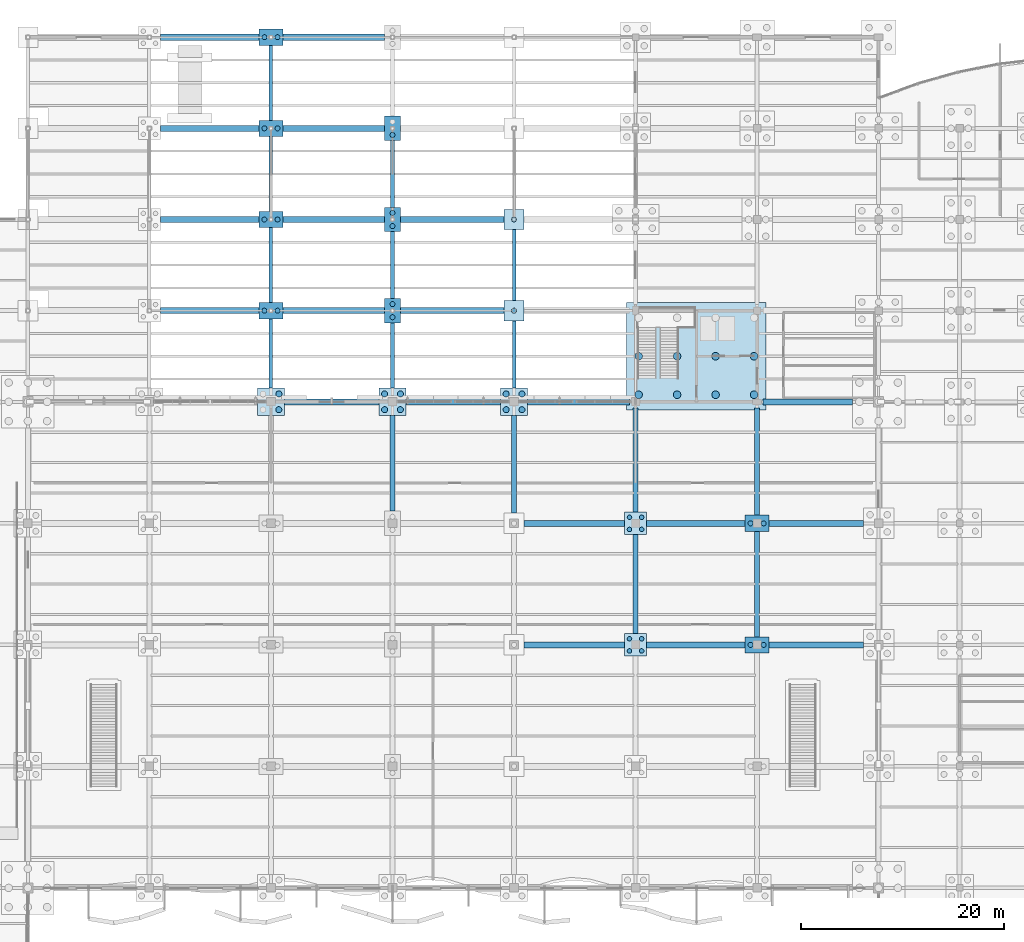
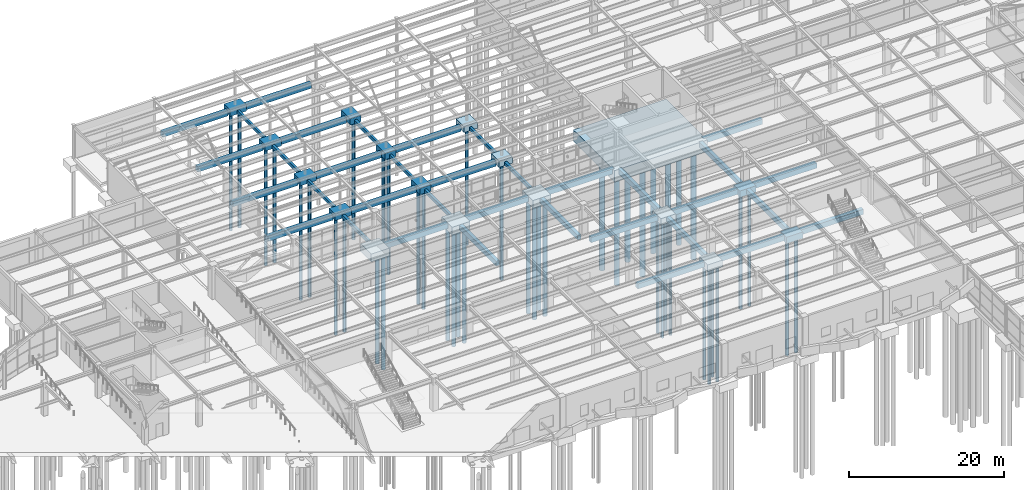
# One storey, part 5 of 85: 52 footings, 45 piles.
"""IFC4 building model written with IfcOpenShell, lengths in metres."""

from ifc_helpers import new_model, si_unit, direction, frame, origin, origin_2d, place, context, subcontext, project, spatial, polyline, rectangle, circle, outline, extrude, material, material_profile, profile_set, type_object, element, save


model = new_model("IFC4")

# Units and contexts
model_context = context("Model", 3, precision=1e-05, world=origin(), true_north=direction((0.0, 1.0)))
body_context = subcontext(model_context, "Body", "Model", "MODEL_VIEW")
ifc_project = project(units=[si_unit("LENGTHUNIT", "METRE"), si_unit("AREAUNIT", "SQUARE_METRE"), si_unit("VOLUMEUNIT", "CUBIC_METRE"), si_unit("PLANEANGLEUNIT", "RADIAN"), si_unit("MASSUNIT", "GRAM", prefix="KILO")], contexts=[model_context])

# Site, building, storey
site_placement = place(None, origin())
site = spatial("IfcSite", under=ifc_project, at=site_placement, CompositionType="ELEMENT")
building_placement = place(site_placement, origin())
building = spatial("IfcBuilding", under=site, at=building_placement, Name="Keelwater Ferry Terminal", CompositionType="ELEMENT")
storey_placement = place(building_placement, origin())
storey = spatial("IfcBuildingStorey", under=building, at=storey_placement, Name="L00", CompositionType="ELEMENT", Elevation=0.0)

# Piles
ifc_material_1 = material(Name="Concrete C45/55", Category="concrete")
ifc_material_profile_1 = material_profile(ifc_material_1, circle(Radius=0.375, at=origin_2d()), Name="PILE D750")
ifc_profile_set_1 = profile_set([ifc_material_profile_1], Name="Concrete C45/55")
pile_type_1 = type_object("IfcPileType", Name="P1 PILE D750", PredefinedType="DRIVEN", material=ifc_profile_set_1)
for number, where, z_axis, x_axis, name in (
    (1, (108.300048828125, 90.699951171875, -2.10009765625), (0.0, 0.0, -1.0), (1.0, 0.0, 0.0), "Driven Pile 0013"),
    (2, (108.300048828125, 94.5, -2.10009765625), (0.0, 0.0, -1.0), (1.0, 0.0, 0.0), "Driven Pile 0014"),
    (3, (112.10009765625, 90.699951171875, -2.10009765625), (0.0, 0.0, -1.0), (1.0, 0.0, 0.0), "Driven Pile 0016"),
    (4, (112.10009765625, 94.5, -2.10009765625), (0.0, 0.0, -1.0), (1.0, 0.0, 0.0), "Driven Pile 0017"),
    (5, (115.89990234375, 90.699951171875, -2.10009765625), (0.0, 0.0, -1.0), (1.0, 0.0, 0.0), "Driven Pile 0019"),
    (6, (115.89990234375, 94.5, -2.10009765625), (0.0, 0.0, -1.0), (1.0, 0.0, 0.0), "Driven Pile 0020"),
    (7, (119.699951171875, 90.699951171875, -2.10009765625), (0.0, 0.0, -1.0), (1.0, 0.0, 0.0), "Driven Pile 0022"),
    (8, (119.699951171875, 94.5, -2.10009765625), (0.0, 0.0, -1.0), (1.0, 0.0, 0.0), "Driven Pile 0023"),
):
    element("IfcPile", number, at=place(storey_placement, frame(where, z_axis=z_axis, x_axis=x_axis)), inside=storey, type_object=pile_type_1, Name=name, PredefinedType="DRIVEN", context=body_context, shape_type="SweptSolid", body=[
        extrude(circle(Radius=0.375, at=origin_2d()), origin(), (0.0, 0.0, 1.0), 17.39990234375),
    ])
ifc_material_2 = material(Name="Concrete C45/55", Category="concrete")
ifc_material_profile_2 = material_profile(ifc_material_2, circle(Radius=0.300048828125, at=origin_2d()), Name="PILE D600")
ifc_profile_set_2 = profile_set([ifc_material_profile_2], Name="Concrete C45/55")
pile_type_2 = type_object("IfcPileType", Name="P3 PILE D600", PredefinedType="DRIVEN", material=ifc_profile_set_2)
for number, where, z_axis, x_axis, name in (
    (9, (72.780029296875, 89.219970703125, -1.5), (0.0, 0.0, -1.0), (1.0, 0.0, 0.0), "Driven Pile 0235"),
    (10, (72.780029296875, 90.780029296875, -1.5), (0.0, 0.0, -1.0), (1.0, 0.0, 0.0), "Driven Pile 0237"),
    (11, (83.219970703125, 89.219970703125, -1.5), (0.0, 0.0, -1.0), (1.0, 0.0, 0.0), "Driven Pile 0256"),
    (12, (84.780029296875, 89.219970703125, -1.5), (0.0, 0.0, -1.0), (1.0, 0.0, 0.0), "Driven Pile 0257"),
    (13, (83.219970703125, 90.780029296875, -1.5), (0.0, 0.0, -1.0), (1.0, 0.0, 0.0), "Driven Pile 0258"),
    (14, (84.780029296875, 90.780029296875, -1.5), (0.0, 0.0, -1.0), (1.0, 0.0, 0.0), "Driven Pile 0259"),
    (15, (95.219970703125, 89.219970703125, -1.5), (0.0, 0.0, -1.0), (1.0, 0.0, 0.0), "Driven Pile 0275"),
    (16, (96.780029296875, 89.219970703125, -1.5), (0.0, 0.0, -1.0), (1.0, 0.0, 0.0), "Driven Pile 0276"),
    (17, (95.219970703125, 90.780029296875, -1.5), (0.0, 0.0, -1.0), (1.0, 0.0, 0.0), "Driven Pile 0277"),
    (18, (96.780029296875, 90.780029296875, -1.5), (0.0, 0.0, -1.0), (1.0, 0.0, 0.0), "Driven Pile 0278"),
):
    element("IfcPile", number, at=place(storey_placement, frame(where, z_axis=z_axis, x_axis=x_axis)), inside=storey, type_object=pile_type_2, Name=name, PredefinedType="DRIVEN", context=body_context, shape_type="SweptSolid", body=[
        extrude(circle(Radius=0.300048828125, at=origin_2d()), origin(), (0.0, 0.0, 1.0), 18.0),
    ])
ifc_material_3 = material(Name="Concrete C45/55", Category="concrete")
ifc_material_profile_3 = material_profile(ifc_material_3, circle(Radius=0.25, at=origin_2d()), Name="PILE D500")
ifc_profile_set_3 = profile_set([ifc_material_profile_3], Name="Concrete C45/55")
pile_type_3 = type_object("IfcPileType", Name="P4 PILE D500", PredefinedType="DRIVEN", material=ifc_profile_set_3)
for number, where, z_axis, x_axis, name in (
    (19, (71.35009765625, 99.0, -0.89990234375), (0.0, 0.0, -1.0), (1.0, 0.0, 0.0), "Driven Pile 0238"),
    (20, (72.64990234375, 99.0, -0.89990234375), (0.0, 0.0, -1.0), (1.0, 0.0, 0.0), "Driven Pile 0239"),
    (21, (71.35009765625, 108.0, -0.89990234375), (0.0, 0.0, -1.0), (1.0, 0.0, 0.0), "Driven Pile 0240"),
    (22, (72.64990234375, 108.0, -0.89990234375), (0.0, 0.0, -1.0), (1.0, 0.0, 0.0), "Driven Pile 0241"),
    (23, (71.35009765625, 117.0, -0.89990234375), (0.0, 0.0, -1.0), (1.0, 0.0, 0.0), "Driven Pile 0242"),
    (24, (72.64990234375, 117.0, -0.89990234375), (0.0, 0.0, -1.0), (1.0, 0.0, 0.0), "Driven Pile 0243"),
    (25, (71.35009765625, 126.0, -0.89990234375), (0.0, 0.0, -1.0), (1.0, 0.0, 0.0), "Driven Pile 0244"),
    (26, (72.64990234375, 126.0, -0.89990234375), (0.0, 0.0, -1.0), (1.0, 0.0, 0.0), "Driven Pile 0245"),
    (27, (84.0, 98.35009765625, -0.89990234375), (0.0, 0.0, -1.0), (1.0, 0.0, 0.0), "Driven Pile 0260"),
    (28, (84.0, 99.64990234375, -0.89990234375), (0.0, 0.0, -1.0), (1.0, 0.0, 0.0), "Driven Pile 0261"),
    (29, (84.0, 107.35009765625, -0.89990234375), (0.0, 0.0, -1.0), (1.0, 0.0, 0.0), "Driven Pile 0262"),
    (30, (84.0, 108.64990234375, -0.89990234375), (0.0, 0.0, -1.0), (1.0, 0.0, 0.0), "Driven Pile 0263"),
    (31, (84.0, 116.35009765625, -0.89990234375), (0.0, 0.0, -1.0), (1.0, 0.0, 0.0), "Driven Pile 0264"),
    (32, (96.0, 99.0, -0.89990234375), (0.0, 0.0, -1.0), (1.0, 0.0, 0.0), "Driven Pile 0279"),
    (33, (96.0, 108.0, -0.89990234375), (0.0, 0.0, -1.0), (1.0, 0.0, 0.0), "Driven Pile 0280"),
):
    element("IfcPile", number, at=place(storey_placement, frame(where, z_axis=z_axis, x_axis=x_axis)), inside=storey, type_object=pile_type_3, Name=name, PredefinedType="DRIVEN", context=body_context, shape_type="SweptSolid", body=[
        extrude(circle(Radius=0.25, at=origin_2d()), origin(), (0.0, 0.0, 1.0), 18.60009765625),
    ])
for number, where, z_axis, x_axis, name in (
    (34, (119.35009765625, 66.0, -1.300048828125), (0.0, 0.0, -1.0), (1.0, 0.0, 0.0), "Driven Pile 0319"),
    (35, (120.64990234375, 66.0, -1.300048828125), (0.0, 0.0, -1.0), (1.0, 0.0, 0.0), "Driven Pile 0320"),
    (36, (119.35009765625, 78.0, -1.300048828125), (0.0, 0.0, -1.0), (1.0, 0.0, 0.0), "Driven Pile 0321"),
    (37, (120.64990234375, 78.0, -1.300048828125), (0.0, 0.0, -1.0), (1.0, 0.0, 0.0), "Driven Pile 0322"),
):
    element("IfcPile", number, at=place(storey_placement, frame(where, z_axis=z_axis, x_axis=x_axis)), inside=storey, type_object=pile_type_3, Name=name, PredefinedType="DRIVEN", context=body_context, shape_type="SweptSolid", body=[
        extrude(circle(Radius=0.25, at=origin_2d()), origin(), (0.0, 0.0, 1.0), 18.199951171875),
    ])
ifc_material_4 = material(Name="Concrete C45/55", Category="concrete")
ifc_material_profile_4 = material_profile(ifc_material_4, circle(Radius=0.22509765625, at=origin_2d()), Name="PILE D450")
ifc_profile_set_4 = profile_set([ifc_material_profile_4], Name="Concrete C45/55")
pile_type_4 = type_object("IfcPileType", Name="P5 PILE D450", PredefinedType="DRIVEN", material=ifc_profile_set_4)
for number, where, z_axis, x_axis, name in (
    (38, (107.39990234375, 65.39990234375, -1.35009765625), (0.0, 0.0, -1.0), (1.0, 0.0, 0.0), "Driven Pile 0291"),
    (39, (108.60009765625, 65.39990234375, -1.35009765625), (0.0, 0.0, -1.0), (1.0, 0.0, 0.0), "Driven Pile 0292"),
    (40, (107.39990234375, 66.60009765625, -1.35009765625), (0.0, 0.0, -1.0), (1.0, 0.0, 0.0), "Driven Pile 0293"),
    (41, (108.60009765625, 66.60009765625, -1.35009765625), (0.0, 0.0, -1.0), (1.0, 0.0, 0.0), "Driven Pile 0294"),
    (42, (107.39990234375, 77.39990234375, -1.35009765625), (0.0, 0.0, -1.0), (1.0, 0.0, 0.0), "Driven Pile 0295"),
    (43, (108.60009765625, 77.39990234375, -1.35009765625), (0.0, 0.0, -1.0), (1.0, 0.0, 0.0), "Driven Pile 0296"),
    (44, (107.39990234375, 78.60009765625, -1.35009765625), (0.0, 0.0, -1.0), (1.0, 0.0, 0.0), "Driven Pile 0297"),
    (45, (108.60009765625, 78.60009765625, -1.35009765625), (0.0, 0.0, -1.0), (1.0, 0.0, 0.0), "Driven Pile 0298"),
):
    element("IfcPile", number, at=place(storey_placement, frame(where, z_axis=z_axis, x_axis=x_axis)), inside=storey, type_object=pile_type_4, Name=name, PredefinedType="DRIVEN", context=body_context, shape_type="SweptSolid", body=[
        extrude(circle(Radius=0.22509765625, at=origin_2d()), origin(), (0.0, 0.0, 1.0), 18.14990234375),
    ])

# Footings
ifc_material_5 = material(Name="Concrete C40/50", Category="concrete")
footing_type_1 = type_object("IfcFootingType", Name="PC01 2000x2000x1000", PredefinedType="PILE_CAP", material=ifc_material_5)
footing_1_placement = place(storey_placement, frame((0.0, 0.0, -1.0)))
element("IfcFooting", 46, at=footing_1_placement, inside=storey, type_object=footing_type_1, Name="Pile Cap FT-CAP-0077", PredefinedType="PILE_CAP", context=body_context, shape_type="SweptSolid", body=[
    extrude(outline(polyline([(95.0, 98.0), (97.0, 98.0), (97.0, 100.0), (95.0, 100.0), (95.0, 98.0)])), origin(), (0.0, 0.0, 1.0), 1.0),
])
footing_2_placement = place(storey_placement, frame((0.0, 0.0, -1.0)))
element("IfcFooting", 47, at=footing_2_placement, inside=storey, type_object=footing_type_1, Name="Pile Cap FT-CAP-0078", PredefinedType="PILE_CAP", context=body_context, shape_type="SweptSolid", body=[
    extrude(outline(polyline([(95.0, 107.0), (97.0, 107.0), (97.0, 109.0), (95.0, 109.0), (95.0, 107.0)])), origin(), (0.0, 0.0, 1.0), 1.0),
])
ifc_material_6 = material(Name="Concrete C40/50", Category="concrete")
footing_type_2 = type_object("IfcFootingType", Name="PC04 2700x2700x1200", PredefinedType="PILE_CAP", material=ifc_material_6)
footing_3_placement = place(storey_placement, frame((0.0, 0.0, -1.60009765625)))
element("IfcFooting", 48, at=footing_3_placement, inside=storey, type_object=footing_type_2, Name="Pile Cap FT-CAP-0058", PredefinedType="PILE_CAP", context=body_context, shape_type="SweptSolid", body=[
    extrude(outline(polyline([(70.64990234375, 88.64990234375), (73.35009765625, 88.64990234375), (73.35009765625, 91.35009765625), (70.64990234375, 91.35009765625), (70.64990234375, 88.64990234375)])), origin(), (0.0, 0.0, 1.0), 1.2001953125),
])
footing_4_placement = place(storey_placement, frame((0.0, 0.0, -1.60009765625)))
element("IfcFooting", 49, at=footing_4_placement, inside=storey, type_object=footing_type_2, Name="Pile Cap FT-CAP-0067", PredefinedType="PILE_CAP", context=body_context, shape_type="SweptSolid", body=[
    extrude(outline(polyline([(82.64990234375, 88.64990234375), (85.35009765625, 88.64990234375), (85.35009765625, 91.35009765625), (82.64990234375, 91.35009765625), (82.64990234375, 88.64990234375)])), origin(), (0.0, 0.0, 1.0), 1.2001953125),
])
footing_5_placement = place(storey_placement, frame((0.0, 0.0, -1.60009765625)))
element("IfcFooting", 50, at=footing_5_placement, inside=storey, type_object=footing_type_2, Name="Pile Cap FT-CAP-0076", PredefinedType="PILE_CAP", context=body_context, shape_type="SweptSolid", body=[
    extrude(outline(polyline([(94.64990234375, 88.64990234375), (97.35009765625, 88.64990234375), (97.35009765625, 91.35009765625), (94.64990234375, 91.35009765625), (94.64990234375, 88.64990234375)])), origin(), (0.0, 0.0, 1.0), 1.2001953125),
])
ifc_material_7 = material(Name="Concrete C40/50", Category="concrete")
footing_type_3 = type_object("IfcFootingType", Name="PC10 2200x2200x1050", PredefinedType="PILE_CAP", material=ifc_material_7)
footing_6_placement = place(storey_placement, frame((0.0, 0.0, -1.449951171875)))
element("IfcFooting", 51, at=footing_6_placement, inside=storey, type_object=footing_type_3, Name="Pile Cap FT-CAP-0083", PredefinedType="PILE_CAP", context=body_context, shape_type="SweptSolid", body=[
    extrude(outline(polyline([(106.89990234375, 64.89990234375), (109.10009765625, 64.89990234375), (109.10009765625, 67.10009765625), (106.89990234375, 67.10009765625), (106.89990234375, 64.89990234375)])), origin(), (0.0, 0.0, 1.0), 1.050048828125),
])
footing_7_placement = place(storey_placement, frame((0.0, 0.0, -1.449951171875)))
element("IfcFooting", 52, at=footing_7_placement, inside=storey, type_object=footing_type_3, Name="Pile Cap FT-CAP-0084", PredefinedType="PILE_CAP", context=body_context, shape_type="SweptSolid", body=[
    extrude(outline(polyline([(106.89990234375, 76.89990234375), (109.10009765625, 76.89990234375), (109.10009765625, 79.10009765625), (106.89990234375, 79.10009765625), (106.89990234375, 76.89990234375)])), origin(), (0.0, 0.0, 1.0), 1.050048828125),
])
ifc_material_8 = material(Name="Concrete C40/50", Category="concrete")
footing_type_4 = type_object("IfcFootingType", Name="PC11 2400x1600x1000", PredefinedType="PILE_CAP", material=ifc_material_8)
footing_8_placement = place(storey_placement, frame((0.0, 0.0, -1.0)))
element("IfcFooting", 53, at=footing_8_placement, inside=storey, type_object=footing_type_4, Name="Pile Cap FT-CAP-0059", PredefinedType="PILE_CAP", context=body_context, shape_type="SweptSolid", body=[
    extrude(outline(polyline([(70.800048828125, 98.199951171875), (73.199951171875, 98.199951171875), (73.199951171875, 99.800048828125), (70.800048828125, 99.800048828125), (70.800048828125, 98.199951171875)])), origin(), (0.0, 0.0, 1.0), 1.0),
])
footing_9_placement = place(storey_placement, frame((0.0, 0.0, -1.0)))
element("IfcFooting", 54, at=footing_9_placement, inside=storey, type_object=footing_type_4, Name="Pile Cap FT-CAP-0060", PredefinedType="PILE_CAP", context=body_context, shape_type="SweptSolid", body=[
    extrude(outline(polyline([(70.800048828125, 107.199951171875), (73.199951171875, 107.199951171875), (73.199951171875, 108.800048828125), (70.800048828125, 108.800048828125), (70.800048828125, 107.199951171875)])), origin(), (0.0, 0.0, 1.0), 1.0),
])
footing_10_placement = place(storey_placement, frame((0.0, 0.0, -1.0)))
element("IfcFooting", 55, at=footing_10_placement, inside=storey, type_object=footing_type_4, Name="Pile Cap FT-CAP-0061", PredefinedType="PILE_CAP", context=body_context, shape_type="SweptSolid", body=[
    extrude(outline(polyline([(70.800048828125, 116.199951171875), (73.199951171875, 116.199951171875), (73.199951171875, 117.800048828125), (70.800048828125, 117.800048828125), (70.800048828125, 116.199951171875)])), origin(), (0.0, 0.0, 1.0), 1.0),
])
footing_11_placement = place(storey_placement, frame((0.0, 0.0, -1.0)))
element("IfcFooting", 56, at=footing_11_placement, inside=storey, type_object=footing_type_4, Name="Pile Cap FT-CAP-0062", PredefinedType="PILE_CAP", context=body_context, shape_type="SweptSolid", body=[
    extrude(outline(polyline([(70.800048828125, 125.199951171875), (73.199951171875, 125.199951171875), (73.199951171875, 126.800048828125), (70.800048828125, 126.800048828125), (70.800048828125, 125.199951171875)])), origin(), (0.0, 0.0, 1.0), 1.0),
])
footing_12_placement = place(storey_placement, frame((0.0, 0.0, -1.39990234375)))
element("IfcFooting", 57, at=footing_12_placement, inside=storey, type_object=footing_type_4, Name="Pile Cap FT-CAP-0090", PredefinedType="PILE_CAP", context=body_context, shape_type="SweptSolid", body=[
    extrude(outline(polyline([(118.800048828125, 65.199951171875), (121.199951171875, 65.199951171875), (121.199951171875, 66.800048828125), (118.800048828125, 66.800048828125), (118.800048828125, 65.199951171875)])), origin(), (0.0, 0.0, 1.0), 1.0),
])
footing_13_placement = place(storey_placement, frame((0.0, 0.0, -1.39990234375)))
element("IfcFooting", 58, at=footing_13_placement, inside=storey, type_object=footing_type_4, Name="Pile Cap FT-CAP-0091", PredefinedType="PILE_CAP", context=body_context, shape_type="SweptSolid", body=[
    extrude(outline(polyline([(118.800048828125, 77.199951171875), (121.199951171875, 77.199951171875), (121.199951171875, 78.800048828125), (118.800048828125, 78.800048828125), (118.800048828125, 77.199951171875)])), origin(), (0.0, 0.0, 1.0), 1.0),
])
ifc_material_9 = material(Name="Concrete C40/50", Category="concrete")
footing_type_5 = type_object("IfcFootingType", Name="PC12 1600x2400x1000", PredefinedType="PILE_CAP", material=ifc_material_9)
footing_14_placement = place(storey_placement, frame((0.0, 0.0, -1.0)))
element("IfcFooting", 59, at=footing_14_placement, inside=storey, type_object=footing_type_5, Name="Pile Cap FT-CAP-0068", PredefinedType="PILE_CAP", context=body_context, shape_type="SweptSolid", body=[
    extrude(outline(polyline([(83.199951171875, 97.800048828125), (84.800048828125, 97.800048828125), (84.800048828125, 100.199951171875), (83.199951171875, 100.199951171875), (83.199951171875, 97.800048828125)])), origin(), (0.0, 0.0, 1.0), 1.0),
])
footing_15_placement = place(storey_placement, frame((0.0, 0.0, -1.0)))
element("IfcFooting", 60, at=footing_15_placement, inside=storey, type_object=footing_type_5, Name="Pile Cap FT-CAP-0069", PredefinedType="PILE_CAP", context=body_context, shape_type="SweptSolid", body=[
    extrude(outline(polyline([(83.199951171875, 106.800048828125), (84.800048828125, 106.800048828125), (84.800048828125, 109.199951171875), (83.199951171875, 109.199951171875), (83.199951171875, 106.800048828125)])), origin(), (0.0, 0.0, 1.0), 1.0),
])
footing_16_placement = place(storey_placement, frame((0.0, 0.0, -1.0)))
element("IfcFooting", 61, at=footing_16_placement, inside=storey, type_object=footing_type_5, Name="Pile Cap FT-CAP-0070", PredefinedType="PILE_CAP", context=body_context, shape_type="SweptSolid", body=[
    extrude(outline(polyline([(83.199951171875, 115.800048828125), (84.800048828125, 115.800048828125), (84.800048828125, 118.199951171875), (83.199951171875, 118.199951171875), (83.199951171875, 115.800048828125)])), origin(), (0.0, 0.0, 1.0), 1.0),
])
ifc_material_10 = material(Name="Concrete C40/50", Category="concrete")
footing_type_6 = type_object("IfcFootingType", Name="PC15 13800x10600x1800", PredefinedType="PILE_CAP", material=ifc_material_10)
footing_17_placement = place(storey_placement, frame((0.0, 0.0, -2.199951171875)))
element("IfcFooting", 62, at=footing_17_placement, inside=storey, type_object=footing_type_6, Name="Core C2 Combined Pile Cap", PredefinedType="PILE_CAP", context=body_context, shape_type="SweptSolid", body=[
    extrude(outline(polyline([(107.10009765625, 89.199951171875), (120.89990234375, 89.199951171875), (120.89990234375, 99.800048828125), (107.10009765625, 99.800048828125), (107.10009765625, 89.199951171875)])), origin(), (0.0, 0.0, 1.0), 1.800048828125),
])
ifc_material_11 = material(Name="Concrete C40/50", Category="concrete")
ifc_material_profile_5 = material_profile(ifc_material_11, rectangle(XDim=0.60009765625, YDim=0.800048828125, at=origin_2d()), Name="TB 600x800")
ifc_profile_set_5 = profile_set([ifc_material_profile_5], Name="Concrete C40/50")
footing_type_7 = type_object("IfcFootingType", Name="TB1 600x800", PredefinedType="FOOTING_BEAM", material=ifc_profile_set_5)
footing_18_placement = place(storey_placement, frame((97.0, 66.0, -0.800048828125), z_axis=(1.0, 0.0, 0.0), x_axis=(0.0, 1.0, 0.0)))
element("IfcFooting", 63, at=footing_18_placement, inside=storey, type_object=footing_type_7, Name="Ground Tie Beam 0056", PredefinedType="FOOTING_BEAM", context=body_context, shape_type="SweptSolid", body=[
    extrude(rectangle(XDim=0.60009765625, YDim=0.800048828125, at=origin_2d()), origin(), (0.0, 0.0, 1.0), 9.89990234375),
])
footing_19_placement = place(storey_placement, frame((109.10009765625, 66.0, -0.800048828125), z_axis=(1.0, 0.0, 0.0), x_axis=(0.0, 1.0, 0.0)))
element("IfcFooting", 64, at=footing_19_placement, inside=storey, type_object=footing_type_7, Name="Ground Tie Beam 0057", PredefinedType="FOOTING_BEAM", context=body_context, shape_type="SweptSolid", body=[
    extrude(rectangle(XDim=0.60009765625, YDim=0.800048828125, at=origin_2d()), origin(), (0.0, 0.0, 1.0), 9.699951171875),
])
footing_20_placement = place(storey_placement, frame((121.199951171875, 66.0, -0.800048828125), z_axis=(1.0, 0.0, 0.0), x_axis=(0.0, 1.0, 0.0)))
element("IfcFooting", 65, at=footing_20_placement, inside=storey, type_object=footing_type_7, Name="Ground Tie Beam 0058", PredefinedType="FOOTING_BEAM", context=body_context, shape_type="SweptSolid", body=[
    extrude(rectangle(XDim=0.60009765625, YDim=0.800048828125, at=origin_2d()), origin(), (0.0, 0.0, 1.0), 9.300048828125),
])
footing_21_placement = place(storey_placement, frame((97.0, 78.0, -0.800048828125), z_axis=(1.0, 0.0, 0.0), x_axis=(0.0, 1.0, 0.0)))
element("IfcFooting", 66, at=footing_21_placement, inside=storey, type_object=footing_type_7, Name="Ground Tie Beam 0073", PredefinedType="FOOTING_BEAM", context=body_context, shape_type="SweptSolid", body=[
    extrude(rectangle(XDim=0.60009765625, YDim=0.800048828125, at=origin_2d()), origin(), (0.0, 0.0, 1.0), 9.89990234375),
])
footing_22_placement = place(storey_placement, frame((109.10009765625, 78.0, -0.800048828125), z_axis=(1.0, 0.0, 0.0), x_axis=(0.0, 1.0, 0.0)))
element("IfcFooting", 67, at=footing_22_placement, inside=storey, type_object=footing_type_7, Name="Ground Tie Beam 0074", PredefinedType="FOOTING_BEAM", context=body_context, shape_type="SweptSolid", body=[
    extrude(rectangle(XDim=0.60009765625, YDim=0.800048828125, at=origin_2d()), origin(), (0.0, 0.0, 1.0), 9.699951171875),
])
footing_23_placement = place(storey_placement, frame((121.199951171875, 78.0, -0.800048828125), z_axis=(1.0, 0.0, 0.0), x_axis=(0.0, 1.0, 0.0)))
element("IfcFooting", 68, at=footing_23_placement, inside=storey, type_object=footing_type_7, Name="Ground Tie Beam 0075", PredefinedType="FOOTING_BEAM", context=body_context, shape_type="SweptSolid", body=[
    extrude(rectangle(XDim=0.60009765625, YDim=0.800048828125, at=origin_2d()), origin(), (0.0, 0.0, 1.0), 9.300048828125),
])
for number, where, z_axis, x_axis, name in (
    (69, (73.35009765625, 90.0, -0.800048828125), (1.0, 0.0, 0.0), (0.0, 1.0, 0.0), "Ground Tie Beam 0086"),
    (70, (85.35009765625, 90.0, -0.800048828125), (1.0, 0.0, 0.0), (0.0, 1.0, 0.0), "Ground Tie Beam 0087"),
):
    element("IfcFooting", number, at=place(storey_placement, frame(where, z_axis=z_axis, x_axis=x_axis)), inside=storey, type_object=footing_type_7, Name=name, PredefinedType="FOOTING_BEAM", context=body_context, shape_type="SweptSolid", body=[
        extrude(rectangle(XDim=0.60009765625, YDim=0.800048828125, at=origin_2d()), origin(), (0.0, 0.0, 1.0), 9.2998046875),
    ])
footing_24_placement = place(storey_placement, frame((97.35009765625, 90.0, -0.800048828125), z_axis=(1.0, 0.0, 0.0), x_axis=(0.0, 1.0, 0.0)))
element("IfcFooting", 71, at=footing_24_placement, inside=storey, type_object=footing_type_7, Name="Ground Tie Beam 0088", PredefinedType="FOOTING_BEAM", context=body_context, shape_type="SweptSolid", body=[
    extrude(rectangle(XDim=0.60009765625, YDim=0.800048828125, at=origin_2d()), origin(), (0.0, 0.0, 1.0), 10.0498046875),
])
footing_25_placement = place(storey_placement, frame((120.60009765625, 90.0, -0.800048828125), z_axis=(1.0, 0.0, 0.0), x_axis=(0.0, 1.0, 0.0)))
element("IfcFooting", 72, at=footing_25_placement, inside=storey, type_object=footing_type_7, Name="Ground Tie Beam 0089", PredefinedType="FOOTING_BEAM", context=body_context, shape_type="SweptSolid", body=[
    extrude(rectangle(XDim=0.60009765625, YDim=0.800048828125, at=origin_2d()), origin(), (0.0, 0.0, 1.0), 8.7998046875),
])
footing_26_placement = place(storey_placement, frame((61.10009765625, 99.0, -0.800048828125), z_axis=(1.0, 0.0, 0.0), x_axis=(0.0, 1.0, 0.0)))
element("IfcFooting", 73, at=footing_26_placement, inside=storey, type_object=footing_type_7, Name="Ground Tie Beam 0100", PredefinedType="FOOTING_BEAM", context=body_context, shape_type="SweptSolid", body=[
    extrude(rectangle(XDim=0.60009765625, YDim=0.800048828125, at=origin_2d()), origin(), (0.0, 0.0, 1.0), 9.699951171875),
])
footing_27_placement = place(storey_placement, frame((73.199951171875, 99.0, -0.800048828125), z_axis=(1.0, 0.0, 0.0), x_axis=(0.0, 1.0, 0.0)))
element("IfcFooting", 74, at=footing_27_placement, inside=storey, type_object=footing_type_7, Name="Ground Tie Beam 0101", PredefinedType="FOOTING_BEAM", context=body_context, shape_type="SweptSolid", body=[
    extrude(rectangle(XDim=0.60009765625, YDim=0.800048828125, at=origin_2d()), origin(), (0.0, 0.0, 1.0), 10.0),
])
footing_28_placement = place(storey_placement, frame((84.800048828125, 99.0, -0.800048828125), z_axis=(1.0, 0.0, 0.0), x_axis=(0.0, 1.0, 0.0)))
element("IfcFooting", 75, at=footing_28_placement, inside=storey, type_object=footing_type_7, Name="Ground Tie Beam 0102", PredefinedType="FOOTING_BEAM", context=body_context, shape_type="SweptSolid", body=[
    extrude(rectangle(XDim=0.60009765625, YDim=0.800048828125, at=origin_2d()), origin(), (0.0, 0.0, 1.0), 10.199951171875),
])
footing_29_placement = place(storey_placement, frame((61.10009765625, 108.0, -0.800048828125), z_axis=(1.0, 0.0, 0.0), x_axis=(0.0, 1.0, 0.0)))
element("IfcFooting", 76, at=footing_29_placement, inside=storey, type_object=footing_type_7, Name="Ground Tie Beam 0114", PredefinedType="FOOTING_BEAM", context=body_context, shape_type="SweptSolid", body=[
    extrude(rectangle(XDim=0.60009765625, YDim=0.800048828125, at=origin_2d()), origin(), (0.0, 0.0, 1.0), 9.699951171875),
])
footing_30_placement = place(storey_placement, frame((73.199951171875, 108.0, -0.800048828125), z_axis=(1.0, 0.0, 0.0), x_axis=(0.0, 1.0, 0.0)))
element("IfcFooting", 77, at=footing_30_placement, inside=storey, type_object=footing_type_7, Name="Ground Tie Beam 0115", PredefinedType="FOOTING_BEAM", context=body_context, shape_type="SweptSolid", body=[
    extrude(rectangle(XDim=0.60009765625, YDim=0.800048828125, at=origin_2d()), origin(), (0.0, 0.0, 1.0), 10.0),
])
footing_31_placement = place(storey_placement, frame((84.800048828125, 108.0, -0.800048828125), z_axis=(1.0, 0.0, 0.0), x_axis=(0.0, 1.0, 0.0)))
element("IfcFooting", 78, at=footing_31_placement, inside=storey, type_object=footing_type_7, Name="Ground Tie Beam 0116", PredefinedType="FOOTING_BEAM", context=body_context, shape_type="SweptSolid", body=[
    extrude(rectangle(XDim=0.60009765625, YDim=0.800048828125, at=origin_2d()), origin(), (0.0, 0.0, 1.0), 10.199951171875),
])
footing_32_placement = place(storey_placement, frame((61.10009765625, 117.0, -0.800048828125), z_axis=(1.0, 0.0, 0.0), x_axis=(0.0, 1.0, 0.0)))
element("IfcFooting", 79, at=footing_32_placement, inside=storey, type_object=footing_type_7, Name="Ground Tie Beam 0126", PredefinedType="FOOTING_BEAM", context=body_context, shape_type="SweptSolid", body=[
    extrude(rectangle(XDim=0.60009765625, YDim=0.800048828125, at=origin_2d()), origin(), (0.0, 0.0, 1.0), 9.699951171875),
])
footing_33_placement = place(storey_placement, frame((73.199951171875, 117.0, -0.800048828125), z_axis=(1.0, 0.0, 0.0), x_axis=(0.0, 1.0, 0.0)))
element("IfcFooting", 80, at=footing_33_placement, inside=storey, type_object=footing_type_7, Name="Ground Tie Beam 0127", PredefinedType="FOOTING_BEAM", context=body_context, shape_type="SweptSolid", body=[
    extrude(rectangle(XDim=0.60009765625, YDim=0.800048828125, at=origin_2d()), origin(), (0.0, 0.0, 1.0), 10.0),
])
footing_34_placement = place(storey_placement, frame((61.10009765625, 126.0, -0.800048828125), z_axis=(1.0, 0.0, 0.0), x_axis=(0.0, 1.0, 0.0)))
element("IfcFooting", 81, at=footing_34_placement, inside=storey, type_object=footing_type_7, Name="Ground Tie Beam 0139", PredefinedType="FOOTING_BEAM", context=body_context, shape_type="SweptSolid", body=[
    extrude(rectangle(XDim=0.60009765625, YDim=0.800048828125, at=origin_2d()), origin(), (0.0, 0.0, 1.0), 9.699951171875),
])
footing_35_placement = place(storey_placement, frame((73.199951171875, 126.0, -0.800048828125), z_axis=(1.0, 0.0, 0.0), x_axis=(0.0, 1.0, 0.0)))
element("IfcFooting", 82, at=footing_35_placement, inside=storey, type_object=footing_type_7, Name="Ground Tie Beam 0140", PredefinedType="FOOTING_BEAM", context=body_context, shape_type="SweptSolid", body=[
    extrude(rectangle(XDim=0.60009765625, YDim=0.800048828125, at=origin_2d()), origin(), (0.0, 0.0, 1.0), 10.0),
])
ifc_material_12 = material(Name="Concrete C40/50", Category="concrete")
ifc_material_profile_6 = material_profile(ifc_material_12, rectangle(XDim=0.5, YDim=0.75, at=origin_2d()), Name="TB 500x750")
ifc_profile_set_6 = profile_set([ifc_material_profile_6], Name="Concrete C40/50")
footing_type_8 = type_object("IfcFootingType", Name="TB2 500x750", PredefinedType="FOOTING_BEAM", material=ifc_profile_set_6)
footing_36_placement = place(storey_placement, frame((84.0, 79.199951171875, -0.77490234375), z_axis=(0.0, 1.0, 0.0), x_axis=(-1.0, 0.0, 0.0)))
element("IfcFooting", 83, at=footing_36_placement, inside=storey, type_object=footing_type_8, Name="Ground Tie Beam 0205", PredefinedType="FOOTING_BEAM", context=body_context, shape_type="SweptSolid", body=[
    extrude(rectangle(XDim=0.5, YDim=0.75, at=origin_2d()), origin(), (0.0, 0.0, 1.0), 9.449951171875),
])
footing_37_placement = place(storey_placement, frame((96.0, 79.0, -0.77490234375), z_axis=(0.0, 1.0, 0.0), x_axis=(-1.0, 0.0, 0.0)))
element("IfcFooting", 84, at=footing_37_placement, inside=storey, type_object=footing_type_8, Name="Ground Tie Beam 0213", PredefinedType="FOOTING_BEAM", context=body_context, shape_type="SweptSolid", body=[
    extrude(rectangle(XDim=0.5, YDim=0.75, at=origin_2d()), origin(), (0.0, 0.0, 1.0), 9.64990234375),
])
footing_38_placement = place(storey_placement, frame((108.0, 67.10009765625, -0.77490234375), z_axis=(0.0, 1.0, 0.0), x_axis=(-1.0, 0.0, 0.0)))
element("IfcFooting", 85, at=footing_38_placement, inside=storey, type_object=footing_type_8, Name="Ground Tie Beam 0220", PredefinedType="FOOTING_BEAM", context=body_context, shape_type="SweptSolid", body=[
    extrude(rectangle(XDim=0.5, YDim=0.75, at=origin_2d()), origin(), (0.0, 0.0, 1.0), 9.7998046875),
])
footing_39_placement = place(storey_placement, frame((108.0, 79.10009765625, -0.77490234375), z_axis=(0.0, 1.0, 0.0), x_axis=(-1.0, 0.0, 0.0)))
element("IfcFooting", 86, at=footing_39_placement, inside=storey, type_object=footing_type_8, Name="Ground Tie Beam 0221", PredefinedType="FOOTING_BEAM", context=body_context, shape_type="SweptSolid", body=[
    extrude(rectangle(XDim=0.5, YDim=0.75, at=origin_2d()), origin(), (0.0, 0.0, 1.0), 10.2998046875),
])
footing_40_placement = place(storey_placement, frame((120.0, 66.800048828125, -0.77490234375), z_axis=(0.0, 1.0, 0.0), x_axis=(-1.0, 0.0, 0.0)))
element("IfcFooting", 87, at=footing_40_placement, inside=storey, type_object=footing_type_8, Name="Ground Tie Beam 0227", PredefinedType="FOOTING_BEAM", context=body_context, shape_type="SweptSolid", body=[
    extrude(rectangle(XDim=0.5, YDim=0.75, at=origin_2d()), origin(), (0.0, 0.0, 1.0), 10.39990234375),
])
footing_41_placement = place(storey_placement, frame((120.0, 78.800048828125, -0.77490234375), z_axis=(0.0, 1.0, 0.0), x_axis=(-1.0, 0.0, 0.0)))
element("IfcFooting", 88, at=footing_41_placement, inside=storey, type_object=footing_type_8, Name="Ground Tie Beam 0228", PredefinedType="FOOTING_BEAM", context=body_context, shape_type="SweptSolid", body=[
    extrude(rectangle(XDim=0.5, YDim=0.75, at=origin_2d()), origin(), (0.0, 0.0, 1.0), 10.599853515625),
])
ifc_material_13 = material(Name="Concrete C40/50", Category="concrete")
ifc_material_profile_7 = material_profile(ifc_material_13, rectangle(XDim=0.35009765625, YDim=0.5, at=origin_2d()), Name="TB 350x500")
ifc_profile_set_7 = profile_set([ifc_material_profile_7], Name="Concrete C40/50")
footing_type_9 = type_object("IfcFootingType", Name="TB8 350x500", PredefinedType="FOOTING_BEAM", material=ifc_profile_set_7)
footing_42_placement = place(storey_placement, frame((72.0, 91.35009765625, -0.64990234375), z_axis=(0.0, 1.0, 0.0), x_axis=(-1.0, 0.0, 0.0)))
element("IfcFooting", 89, at=footing_42_placement, inside=storey, type_object=footing_type_9, Name="Ground Tie Beam 0198", PredefinedType="FOOTING_BEAM", context=body_context, shape_type="SweptSolid", body=[
    extrude(rectangle(XDim=0.35009765625, YDim=0.5, at=origin_2d()), origin(), (0.0, 0.0, 1.0), 6.849853515625),
])
for number, where, z_axis, x_axis, name in (
    (90, (72.0, 99.800048828125, -0.64990234375), (0.0, 1.0, 0.0), (-1.0, 0.0, 0.0), "Ground Tie Beam 0199"),
    (91, (72.0, 108.800048828125, -0.64990234375), (0.0, 1.0, 0.0), (-1.0, 0.0, 0.0), "Ground Tie Beam 0200"),
    (92, (72.0, 117.800048828125, -0.64990234375), (0.0, 1.0, 0.0), (-1.0, 0.0, 0.0), "Ground Tie Beam 0201"),
):
    element("IfcFooting", number, at=place(storey_placement, frame(where, z_axis=z_axis, x_axis=x_axis)), inside=storey, type_object=footing_type_9, Name=name, PredefinedType="FOOTING_BEAM", context=body_context, shape_type="SweptSolid", body=[
        extrude(rectangle(XDim=0.35009765625, YDim=0.5, at=origin_2d()), origin(), (0.0, 0.0, 1.0), 7.39990234375),
    ])
footing_43_placement = place(storey_placement, frame((84.0, 91.35009765625, -0.64990234375), z_axis=(0.0, 1.0, 0.0), x_axis=(-1.0, 0.0, 0.0)))
element("IfcFooting", 93, at=footing_43_placement, inside=storey, type_object=footing_type_9, Name="Ground Tie Beam 0206", PredefinedType="FOOTING_BEAM", context=body_context, shape_type="SweptSolid", body=[
    extrude(rectangle(XDim=0.35009765625, YDim=0.5, at=origin_2d()), origin(), (0.0, 0.0, 1.0), 6.449951171875),
])
for number, where, z_axis, x_axis, name in (
    (94, (84.0, 100.199951171875, -0.64990234375), (0.0, 1.0, 0.0), (-1.0, 0.0, 0.0), "Ground Tie Beam 0207"),
    (95, (84.0, 109.199951171875, -0.64990234375), (0.0, 1.0, 0.0), (-1.0, 0.0, 0.0), "Ground Tie Beam 0208"),
):
    element("IfcFooting", number, at=place(storey_placement, frame(where, z_axis=z_axis, x_axis=x_axis)), inside=storey, type_object=footing_type_9, Name=name, PredefinedType="FOOTING_BEAM", context=body_context, shape_type="SweptSolid", body=[
        extrude(rectangle(XDim=0.35009765625, YDim=0.5, at=origin_2d()), origin(), (0.0, 0.0, 1.0), 6.60009765625),
    ])
footing_44_placement = place(storey_placement, frame((96.0, 91.35009765625, -0.64990234375), z_axis=(0.0, 1.0, 0.0), x_axis=(-1.0, 0.0, 0.0)))
element("IfcFooting", 96, at=footing_44_placement, inside=storey, type_object=footing_type_9, Name="Ground Tie Beam 0214", PredefinedType="FOOTING_BEAM", context=body_context, shape_type="SweptSolid", body=[
    extrude(rectangle(XDim=0.35009765625, YDim=0.5, at=origin_2d()), origin(), (0.0, 0.0, 1.0), 6.64990234375),
])
footing_45_placement = place(storey_placement, frame((96.0, 100.0, -0.64990234375), z_axis=(0.0, 1.0, 0.0), x_axis=(-1.0, 0.0, 0.0)))
element("IfcFooting", 97, at=footing_45_placement, inside=storey, type_object=footing_type_9, Name="Ground Tie Beam 0215", PredefinedType="FOOTING_BEAM", context=body_context, shape_type="SweptSolid", body=[
    extrude(rectangle(XDim=0.35009765625, YDim=0.5, at=origin_2d()), origin(), (0.0, 0.0, 1.0), 7.0),
])

save(model, "model.ifc")
